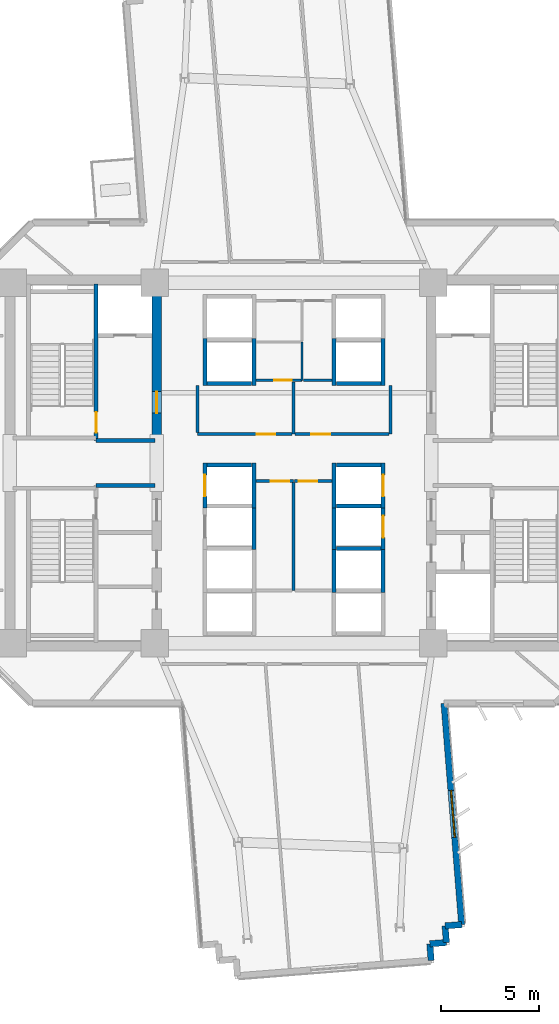
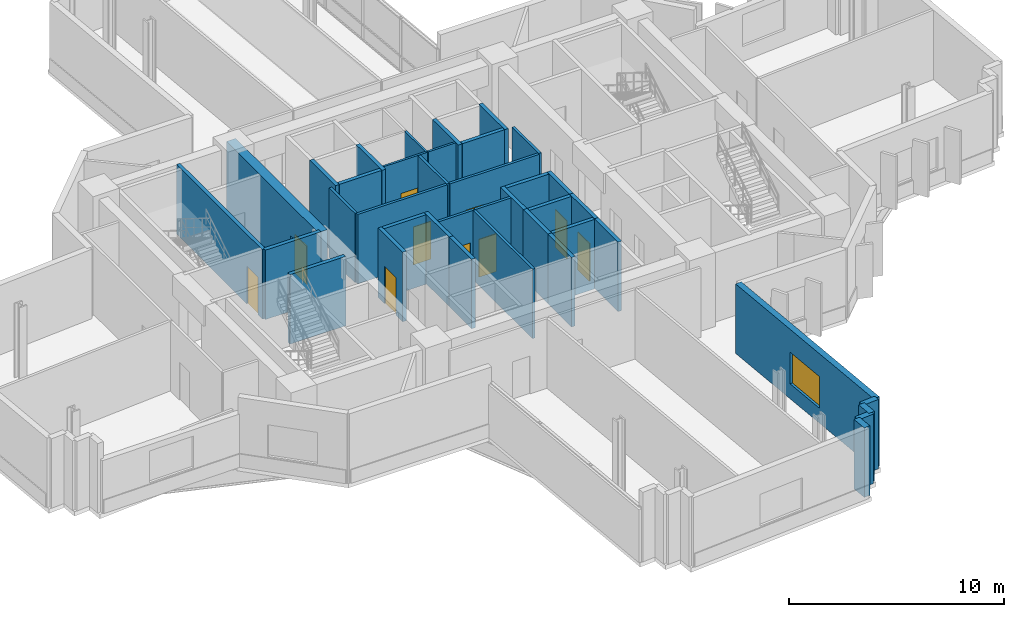
# One storey, part 7 of 15: 39 walls, 10 doors, 1 window, 11 openings.
"""IFC4 building model written with IfcOpenShell, lengths in metres."""

from ifc_helpers import new_model, si_unit, direction, frame, frame_2d, origin, place, context, subcontext, project, spatial, rectangle, extrude, source, transform, mapped, material, layer, layer_set, type_object, element, fill, save


model = new_model("IFC4")

# Units and contexts
model_context = context("Model", 3, precision=1e-05, world=origin(), true_north=direction((0.0, 1.0)))
body_context = subcontext(model_context, "Body", "Model", "MODEL_VIEW")
ifc_project = project(units=[si_unit("LENGTHUNIT", "METRE"), si_unit("AREAUNIT", "SQUARE_METRE"), si_unit("VOLUMEUNIT", "CUBIC_METRE"), si_unit("PLANEANGLEUNIT", "RADIAN"), si_unit("MASSUNIT", "GRAM", prefix="KILO")], contexts=[model_context])

# Site, building, storey
site_placement = place(None, origin())
site = spatial("IfcSite", under=ifc_project, at=site_placement, CompositionType="ELEMENT")
building_placement = place(site_placement, origin())
building = spatial("IfcBuilding", under=site, at=building_placement, Name="Zahravan Cultural Tower", CompositionType="ELEMENT")
storey_placement = place(building_placement, frame((0.0, 0.0, 79.5)))
storey = spatial("IfcBuildingStorey", under=building, at=storey_placement, Name="L17", CompositionType="ELEMENT", Elevation=79.5)

# Wall, opening, door
ifc_material_1 = material(Name="Concrete C60/75", Category="concrete")
ifc_layer_1 = layer(ifc_material_1, 0.5)
ifc_layer_set_1 = layer_set([ifc_layer_1], Name="Concrete C60/75")
wall_type_1 = type_object("IfcWallType", Name="CW-SHEAR-500-C60", PredefinedType="SHEAR", material=ifc_layer_set_1)
wall_1_placement = place(storey_placement, frame((29.0, 28.050048828125, 0.0), z_axis=(0.0, 0.0, 1.0), x_axis=(0.0, 1.0, 0.0)))
wall_1 = element("IfcWall", 1, at=wall_1_placement, inside=storey, type_object=wall_type_1, Name="L17 Core Shear Wall CW-W-EN-L17", PredefinedType="SHEAR", context=body_context, shape_type="SweptSolid", body=[
    extrude(rectangle(XDim=8.550048828125, YDim=0.5, at=frame_2d((4.27490234375, 0.0))), origin(), (0.0, 0.0, 1.0), 3.949951171875),
])
opening_1_placement = place(wall_1_placement, frame((1.5, 0.0, 0.0)))
opening_1 = element("IfcOpeningElement", 2, at=opening_1_placement, cuts=wall_1, Name="Opening D-L17-05", PredefinedType="OPENING", context=body_context, shape_type="SweptSolid", body=[
    extrude(rectangle(XDim=1.10009765625, YDim=2.199951171875, at=frame_2d((0.550048828125, 1.10009765625))), frame((0.0, 0.260009765625, 0.0), z_axis=(0.0, -1.0, 0.0), x_axis=(1.0, 0.0, 0.0)), (0.0, 0.0, 1.0), 0.52001953125),
])
ifc_material_2 = material(Name="Steel ASTM A572 Grade 50", Category="steel")
door_type_1 = type_object("IfcDoorType", Name="DR-LOBBY-1100", OperationType="NOTDEFINED", PredefinedType="DOOR", material=ifc_material_2)
shared_shape_1 = source(origin(), body_context, "Body", "SweptSolid", [
    extrude(rectangle(XDim=1.10009765625, YDim=2.199951171875, at=frame_2d((0.550048828125, 1.10009765625))), frame((0.0, 0.02490234375, 0.0), z_axis=(0.0, -1.0, 0.0), x_axis=(1.0, 0.0, 0.0)), (0.0, 0.0, 1.0), 0.050048828125),
])
door_1_placement = place(opening_1_placement, origin())
door_1 = element("IfcDoor", 3, at=door_1_placement, inside=storey, type_object=door_type_1, Name="L17 Door D-L17-05", OperationType="SINGLE_SWING_LEFT", OverallHeight=2.199951171875, OverallWidth=1.10009765625, PredefinedType="DOOR", context=body_context, shape_type="MappedRepresentation", body=[
    mapped(shared_shape_1, transform((0.0, 0.0, 0.0), x_axis=(1.0, 0.0, 0.0), y_axis=(0.0, 1.0, 0.0), z_axis=(0.0, 0.0, 1.0), scale=1.0)),
])
fill(opening_1, door_1)

# Wall, opening, window
ifc_material_3 = material(Name="Precast concrete C40/50", Category="concrete")
ifc_layer_2 = layer(ifc_material_3, 0.320068359375)
ifc_layer_set_2 = layer_set([ifc_layer_2], Name="Precast concrete C40/50")
wall_type_2 = type_object("IfcWallType", Name="EW-TC-320", PredefinedType="SOLIDWALL", material=ifc_layer_set_2)
wall_2_placement = place(storey_placement, frame((43.658935546875, 14.739990234375, 0.0), z_axis=(0.0, 0.0, 1.0), x_axis=(0.079512268319, -0.996833887459, 0.0)))
wall_2 = element("IfcWall", 4, at=wall_2_placement, inside=storey, type_object=wall_type_2, Name="L17 Exterior Masonry Frame Wall 15", PredefinedType="SOLIDWALL", context=body_context, shape_type="SweptSolid", body=[
    extrude(rectangle(XDim=11.330078125, YDim=0.320068359375, at=frame_2d((5.6650390625, 0.0))), origin(), (0.0, 0.0, 1.0), 3.949951171875),
])
opening_2_placement = place(wall_2_placement, frame((4.465087890625, 0.0, 0.85009765625)))
opening_2 = element("IfcOpeningElement", 5, at=opening_2_placement, cuts=wall_2, Name="Opening WN-01", PredefinedType="OPENING", context=body_context, shape_type="SweptSolid", body=[
    extrude(rectangle(XDim=2.39990234375, YDim=1.800048828125, at=frame_2d((1.199951171875, 0.89990234375))), frame((0.0, 0.169921875, 0.0), z_axis=(0.0, -1.0, 0.0), x_axis=(1.0, 0.0, 0.0)), (0.0, 0.0, 1.0), 0.340087890625),
])
ifc_material_4 = material(Name="Low-E solar-control double glazing", Category="glass")
window_type = type_object("IfcWindowType", Name="WN-REC-2400X1800", PartitioningType="DOUBLE_PANEL_VERTICAL", PredefinedType="WINDOW", material=ifc_material_4)
shared_shape_2 = source(origin(), body_context, "Body", "SweptSolid", [
    extrude(rectangle(XDim=2.39990234375, YDim=1.800048828125, at=frame_2d((1.199951171875, 0.89990234375))), frame((0.0, 0.030029296875, 0.0), z_axis=(0.0, -1.0, 0.0), x_axis=(1.0, 0.0, 0.0)), (0.0, 0.0, 1.0), 0.06005859375),
])
window_placement = place(opening_2_placement, origin())
window = element("IfcWindow", 6, at=window_placement, inside=storey, type_object=window_type, Name="L17 Recessed Solar Window 05", OverallHeight=1.800048828125, OverallWidth=2.39990234375, PartitioningType="DOUBLE_PANEL_VERTICAL", PredefinedType="WINDOW", context=body_context, shape_type="MappedRepresentation", body=[
    mapped(shared_shape_2, transform((0.0, 0.0, 0.0), x_axis=(1.0, 0.0, 0.0), y_axis=(0.0, 1.0, 0.0), z_axis=(0.0, 0.0, 1.0), scale=1.0)),
])
fill(opening_2, window)

# Wall, opening, door
ifc_material_5 = material(Name="Gypsum plasterboard partition")
ifc_layer_3 = layer(ifc_material_5, 0.139892578125)
ifc_layer_set_3 = layer_set([ifc_layer_3], Name="Gypsum plasterboard partition")
wall_type_3 = type_object("IfcWallType", Name="W-PART-140", PredefinedType="PARTITIONING", material=ifc_layer_set_3)
wall_3_placement = place(storey_placement, frame((34.054931640625, 26.080078125, 0.0), z_axis=(0.0, 0.0, 1.0), x_axis=(1.0, 0.0, 0.0)))
wall_3 = element("IfcWall", 7, at=wall_3_placement, inside=storey, type_object=wall_type_3, Name="L17 Interior Wall 075", PredefinedType="PARTITIONING", context=body_context, shape_type="SweptSolid", body=[
    extrude(rectangle(XDim=1.9150390625, YDim=0.139892578125, at=frame_2d((0.95751953125, 0.0))), origin(), (0.0, 0.0, 1.0), 3.949951171875),
])
opening_3_placement = place(wall_3_placement, frame((0.752685546875, 0.0, 0.0)))
opening_3 = element("IfcOpeningElement", 8, at=opening_3_placement, cuts=wall_3, Name="Opening D-L17-15", PredefinedType="OPENING", context=body_context, shape_type="SweptSolid", body=[
    extrude(rectangle(XDim=0.949951171875, YDim=2.14990234375, at=frame_2d((0.47509765625, 1.074951171875))), frame((0.0, 0.079833984375, 0.0), z_axis=(0.0, -1.0, 0.0), x_axis=(1.0, 0.0, 0.0)), (0.0, 0.0, 1.0), 0.159912109375),
])
ifc_material_6 = material(Name="Anodised bronze-aluminium mullion", Category="aluminium")
door_type_2 = type_object("IfcDoorType", Name="DR-ROOM-950", OperationType="NOTDEFINED", PredefinedType="DOOR", material=ifc_material_6)
shared_shape_3 = source(origin(), body_context, "Body", "SweptSolid", [
    extrude(rectangle(XDim=0.949951171875, YDim=2.14990234375, at=frame_2d((0.47509765625, 1.074951171875))), frame((0.0, 0.02490234375, 0.0), z_axis=(0.0, -1.0, 0.0), x_axis=(1.0, 0.0, 0.0)), (0.0, 0.0, 1.0), 0.050048828125),
])
door_2_placement = place(opening_3_placement, origin())
door_2 = element("IfcDoor", 9, at=door_2_placement, inside=storey, type_object=door_type_2, Name="L17 Door D-L17-15", OperationType="SINGLE_SWING_LEFT", OverallHeight=2.14990234375, OverallWidth=0.949951171875, PredefinedType="DOOR", context=body_context, shape_type="MappedRepresentation", body=[
    mapped(shared_shape_3, transform((0.0, 0.0, 0.0), x_axis=(1.0, 0.0, 0.0), y_axis=(0.0, 1.0, 0.0), z_axis=(0.0, 0.0, 1.0), scale=1.0)),
])
fill(opening_3, door_2)

wall_4_placement = place(storey_placement, frame((36.030029296875, 26.080078125, 0.0), z_axis=(0.0, 0.0, 1.0), x_axis=(1.0, 0.0, 0.0)))
wall_4 = element("IfcWall", 10, at=wall_4_placement, inside=storey, type_object=wall_type_3, Name="L17 Interior Wall 078", PredefinedType="PARTITIONING", context=body_context, shape_type="SweptSolid", body=[
    extrude(rectangle(XDim=1.9150390625, YDim=0.139892578125, at=frame_2d((0.95751953125, 0.0))), origin(), (0.0, 0.0, 1.0), 3.949951171875),
])
opening_4_placement = place(wall_4_placement, frame((0.21240234375, 0.0, 0.0)))
opening_4 = element("IfcOpeningElement", 11, at=opening_4_placement, cuts=wall_4, Name="Opening D-L17-16", PredefinedType="OPENING", context=body_context, shape_type="SweptSolid", body=[
    extrude(rectangle(XDim=0.949951171875, YDim=2.14990234375, at=frame_2d((0.47509765625, 1.074951171875))), frame((0.0, 0.079833984375, 0.0), z_axis=(0.0, -1.0, 0.0), x_axis=(1.0, 0.0, 0.0)), (0.0, 0.0, 1.0), 0.159912109375),
])
door_3_placement = place(opening_4_placement, origin())
door_3 = element("IfcDoor", 12, at=door_3_placement, inside=storey, type_object=door_type_2, Name="L17 Door D-L17-16", OperationType="SINGLE_SWING_RIGHT", OverallHeight=2.14990234375, OverallWidth=0.949951171875, PredefinedType="DOOR", context=body_context, shape_type="MappedRepresentation", body=[
    mapped(shared_shape_3, transform((0.0, 0.0, 0.0), x_axis=(1.0, 0.0, 0.0), y_axis=(0.0, 1.0, 0.0), z_axis=(0.0, 0.0, 1.0), scale=1.0)),
])
fill(opening_4, door_3)

wall_5_placement = place(storey_placement, frame((35.89501953125, 28.47998046875, 0.0), z_axis=(0.0, 0.0, 1.0), x_axis=(-1.0, 0.0, 0.0)))
wall_5 = element("IfcWall", 13, at=wall_5_placement, inside=storey, type_object=wall_type_3, Name="L17 Interior Wall 081", PredefinedType="PARTITIONING", context=body_context, shape_type="SweptSolid", body=[
    extrude(rectangle(XDim=4.81494140625, YDim=0.139892578125, at=frame_2d((2.407470703125, 0.0))), origin(), (0.0, 0.0, 1.0), 3.949951171875),
])
opening_5_placement = place(wall_5_placement, frame((0.850341796875, 0.0, 0.0)))
opening_5 = element("IfcOpeningElement", 14, at=opening_5_placement, cuts=wall_5, Name="Opening D-L17-17", PredefinedType="OPENING", context=body_context, shape_type="SweptSolid", body=[
    extrude(rectangle(XDim=0.949951171875, YDim=2.14990234375, at=frame_2d((0.47509765625, 1.074951171875))), frame((0.0, 0.079833984375, 0.0), z_axis=(0.0, -1.0, 0.0), x_axis=(1.0, 0.0, 0.0)), (0.0, 0.0, 1.0), 0.159912109375),
])
door_4_placement = place(opening_5_placement, origin())
door_4 = element("IfcDoor", 15, at=door_4_placement, inside=storey, type_object=door_type_2, Name="L17 Door D-L17-17", OperationType="SINGLE_SWING_LEFT", OverallHeight=2.14990234375, OverallWidth=0.949951171875, PredefinedType="DOOR", context=body_context, shape_type="MappedRepresentation", body=[
    mapped(shared_shape_3, transform((0.0, 0.0, 0.0), x_axis=(1.0, 0.0, 0.0), y_axis=(0.0, 1.0, 0.0), z_axis=(0.0, 0.0, 1.0), scale=1.0)),
])
fill(opening_5, door_4)

wall_6_placement = place(storey_placement, frame((40.844970703125, 28.47998046875, 0.0), z_axis=(0.0, 0.0, 1.0), x_axis=(-1.0, 0.0, 0.0)))
wall_6 = element("IfcWall", 16, at=wall_6_placement, inside=storey, type_object=wall_type_3, Name="L17 Interior Wall 084", PredefinedType="PARTITIONING", context=body_context, shape_type="SweptSolid", body=[
    extrude(rectangle(XDim=4.800048828125, YDim=0.139892578125, at=frame_2d((2.39990234375, 0.0))), origin(), (0.0, 0.0, 1.0), 3.949951171875),
])
opening_6_placement = place(wall_6_placement, frame((3.0029296875, 0.0, 0.0)))
opening_6 = element("IfcOpeningElement", 17, at=opening_6_placement, cuts=wall_6, Name="Opening D-L17-18", PredefinedType="OPENING", context=body_context, shape_type="SweptSolid", body=[
    extrude(rectangle(XDim=0.949951171875, YDim=2.14990234375, at=frame_2d((0.47509765625, 1.074951171875))), frame((0.0, 0.079833984375, 0.0), z_axis=(0.0, -1.0, 0.0), x_axis=(1.0, 0.0, 0.0)), (0.0, 0.0, 1.0), 0.159912109375),
])
door_5_placement = place(opening_6_placement, origin())
door_5 = element("IfcDoor", 18, at=door_5_placement, inside=storey, type_object=door_type_2, Name="L17 Door D-L17-18", OperationType="SINGLE_SWING_RIGHT", OverallHeight=2.14990234375, OverallWidth=0.949951171875, PredefinedType="DOOR", context=body_context, shape_type="MappedRepresentation", body=[
    mapped(shared_shape_3, transform((0.0, 0.0, 0.0), x_axis=(1.0, 0.0, 0.0), y_axis=(0.0, 1.0, 0.0), z_axis=(0.0, 0.0, 1.0), scale=1.0)),
])
fill(opening_6, door_5)

ifc_material_7 = material(Name="Concrete C45/55", Category="concrete")
ifc_layer_4 = layer(ifc_material_7, 0.199951171875)
ifc_layer_set_4 = layer_set([ifc_layer_4], Name="Concrete C45/55")
wall_type_4 = type_object("IfcWallType", Name="W-SHAFT-200", PredefinedType="SOLIDWALL", material=ifc_layer_set_4)
wall_7_placement = place(storey_placement, frame((25.89990234375, 28.14990234375, 0.0), z_axis=(0.0, 0.0, 1.0), x_axis=(0.0, 1.0, 0.0)))
wall_7 = element("IfcWall", 19, at=wall_7_placement, inside=storey, type_object=wall_type_4, Name="L17 Interior Wall 006", PredefinedType="SOLIDWALL", context=body_context, shape_type="SweptSolid", body=[
    extrude(rectangle(XDim=8.0, YDim=0.199951171875, at=frame_2d((4.0, 0.0))), origin(), (0.0, 0.0, 1.0), 3.949951171875),
])
opening_7_placement = place(wall_7_placement, frame((0.39990234375, 0.0, 0.0)))
opening_7 = element("IfcOpeningElement", 20, at=opening_7_placement, cuts=wall_7, Name="Opening D-L17-01", PredefinedType="OPENING", context=body_context, shape_type="SweptSolid", body=[
    extrude(rectangle(XDim=1.050048828125, YDim=2.14990234375, at=frame_2d((0.52490234375, 1.074951171875))), frame((0.0, 0.10986328125, 0.0), z_axis=(0.0, -1.0, 0.0), x_axis=(1.0, 0.0, 0.0)), (0.0, 0.0, 1.0), 0.219970703125),
])
door_type_3 = type_object("IfcDoorType", Name="DR-STAIR-1050", OperationType="NOTDEFINED", PredefinedType="DOOR", material=ifc_material_2)
shared_shape_4 = source(origin(), body_context, "Body", "SweptSolid", [
    extrude(rectangle(XDim=1.050048828125, YDim=2.14990234375, at=frame_2d((0.52490234375, 1.074951171875))), frame((0.0, 0.02490234375, 0.0), z_axis=(0.0, -1.0, 0.0), x_axis=(1.0, 0.0, 0.0)), (0.0, 0.0, 1.0), 0.050048828125),
])
door_6_placement = place(opening_7_placement, origin())
door_6 = element("IfcDoor", 21, at=door_6_placement, inside=storey, type_object=door_type_3, Name="L17 Door D-L17-01", OperationType="SINGLE_SWING_LEFT", OverallHeight=2.14990234375, OverallWidth=1.050048828125, PredefinedType="DOOR", context=body_context, shape_type="MappedRepresentation", body=[
    mapped(shared_shape_4, transform((0.0, 0.0, 0.0), x_axis=(1.0, 0.0, 0.0), y_axis=(0.0, 1.0, 0.0), z_axis=(0.0, 0.0, 1.0), scale=1.0)),
])
fill(opening_7, door_6)

wall_8_placement = place(storey_placement, frame((31.449951171875, 24.699951171875, 0.0), z_axis=(0.0, 0.0, 1.0), x_axis=(0.0, 1.0, 0.0)))
wall_8 = element("IfcWall", 22, at=wall_8_placement, inside=storey, type_object=wall_type_4, Name="L17 Interior Wall 056", PredefinedType="SOLIDWALL", context=body_context, shape_type="SweptSolid", body=[
    extrude(rectangle(XDim=2.300048828125, YDim=0.199951171875, at=frame_2d((1.14990234375, 0.0))), origin(), (0.0, 0.0, 1.0), 3.949951171875),
])
opening_8_placement = place(wall_8_placement, frame((0.60009765625, 0.0, 0.0)))
opening_8 = element("IfcOpeningElement", 23, at=opening_8_placement, cuts=wall_8, Name="Opening LD-L17-04", PredefinedType="OPENING", context=body_context, shape_type="SweptSolid", body=[
    extrude(rectangle(XDim=1.10009765625, YDim=2.14990234375, at=frame_2d((0.550048828125, 1.074951171875))), frame((0.0, 0.10986328125, 0.0), z_axis=(0.0, -1.0, 0.0), x_axis=(1.0, 0.0, 0.0)), (0.0, 0.0, 1.0), 0.219970703125),
])
door_type_4 = type_object("IfcDoorType", Name="DR-LIFT-1100", OperationType="DOUBLE_DOOR_SLIDING", PredefinedType="DOOR", material=ifc_material_2)
shared_shape_5 = source(origin(), body_context, "Body", "SweptSolid", [
    extrude(rectangle(XDim=1.10009765625, YDim=2.14990234375, at=frame_2d((0.550048828125, 1.074951171875))), frame((0.0, 0.02490234375, 0.0), z_axis=(0.0, -1.0, 0.0), x_axis=(1.0, 0.0, 0.0)), (0.0, 0.0, 1.0), 0.050048828125),
])
door_7_placement = place(opening_8_placement, origin())
door_7 = element("IfcDoor", 24, at=door_7_placement, inside=storey, type_object=door_type_4, Name="L17 Door LD-L17-04", OperationType="DOUBLE_DOOR_SLIDING", OverallHeight=2.14990234375, OverallWidth=1.10009765625, PredefinedType="DOOR", context=body_context, shape_type="MappedRepresentation", body=[
    mapped(shared_shape_5, transform((0.0, 0.0, 0.0), x_axis=(1.0, 0.0, 0.0), y_axis=(0.0, 1.0, 0.0), z_axis=(0.0, 0.0, 1.0), scale=1.0)),
])
fill(opening_8, door_7)

wall_9_placement = place(storey_placement, frame((40.550048828125, 24.699951171875, 0.0), z_axis=(0.0, 0.0, 1.0), x_axis=(0.0, 1.0, 0.0)))
wall_9 = element("IfcWall", 25, at=wall_9_placement, inside=storey, type_object=wall_type_4, Name="L17 Interior Wall 063", PredefinedType="SOLIDWALL", context=body_context, shape_type="SweptSolid", body=[
    extrude(rectangle(XDim=2.300048828125, YDim=0.199951171875, at=frame_2d((1.14990234375, 0.0))), origin(), (0.0, 0.0, 1.0), 3.949951171875),
])
opening_9_placement = place(wall_9_placement, frame((0.60009765625, 0.0, 0.0)))
opening_9 = element("IfcOpeningElement", 26, at=opening_9_placement, cuts=wall_9, Name="Opening LD-L17-06", PredefinedType="OPENING", context=body_context, shape_type="SweptSolid", body=[
    extrude(rectangle(XDim=1.10009765625, YDim=2.14990234375, at=frame_2d((0.550048828125, 1.074951171875))), frame((0.0, 0.10986328125, 0.0), z_axis=(0.0, -1.0, 0.0), x_axis=(1.0, 0.0, 0.0)), (0.0, 0.0, 1.0), 0.219970703125),
])
door_8_placement = place(opening_9_placement, origin())
door_8 = element("IfcDoor", 27, at=door_8_placement, inside=storey, type_object=door_type_4, Name="L17 Door LD-L17-06", OperationType="DOUBLE_DOOR_SLIDING", OverallHeight=2.14990234375, OverallWidth=1.10009765625, PredefinedType="DOOR", context=body_context, shape_type="MappedRepresentation", body=[
    mapped(shared_shape_5, transform((0.0, 0.0, 0.0), x_axis=(1.0, 0.0, 0.0), y_axis=(0.0, 1.0, 0.0), z_axis=(0.0, 0.0, 1.0), scale=1.0)),
])
fill(opening_9, door_8)

wall_10_placement = place(storey_placement, frame((40.550048828125, 22.60009765625, 0.0), z_axis=(0.0, 0.0, 1.0), x_axis=(0.0, 1.0, 0.0)))
wall_10 = element("IfcWall", 28, at=wall_10_placement, inside=storey, type_object=wall_type_4, Name="L17 Interior Wall 067", PredefinedType="SOLIDWALL", context=body_context, shape_type="SweptSolid", body=[
    extrude(rectangle(XDim=2.2998046875, YDim=0.199951171875, at=frame_2d((1.14990234375, 0.0))), origin(), (0.0, 0.0, 1.0), 3.949951171875),
])
opening_10_placement = place(wall_10_placement, frame((0.60009765625, 0.0, 0.0)))
opening_10 = element("IfcOpeningElement", 29, at=opening_10_placement, cuts=wall_10, Name="Opening LD-L17-07", PredefinedType="OPENING", context=body_context, shape_type="SweptSolid", body=[
    extrude(rectangle(XDim=1.10009765625, YDim=2.14990234375, at=frame_2d((0.550048828125, 1.074951171875))), frame((0.0, 0.10986328125, 0.0), z_axis=(0.0, -1.0, 0.0), x_axis=(1.0, 0.0, 0.0)), (0.0, 0.0, 1.0), 0.219970703125),
])
door_9_placement = place(opening_10_placement, origin())
door_9 = element("IfcDoor", 30, at=door_9_placement, inside=storey, type_object=door_type_4, Name="L17 Door LD-L17-07", OperationType="DOUBLE_DOOR_SLIDING", OverallHeight=2.14990234375, OverallWidth=1.10009765625, PredefinedType="DOOR", context=body_context, shape_type="MappedRepresentation", body=[
    mapped(shared_shape_5, transform((0.0, 0.0, 0.0), x_axis=(1.0, 0.0, 0.0), y_axis=(0.0, 1.0, 0.0), z_axis=(0.0, 0.0, 1.0), scale=1.0)),
])
fill(opening_10, door_9)

ifc_layer_5 = layer(ifc_material_5, 0.114990234375)
ifc_layer_set_5 = layer_set([ifc_layer_5], Name="Gypsum plasterboard partition")
wall_type_5 = type_object("IfcWallType", Name="W-WC-115", PredefinedType="PARTITIONING", material=ifc_layer_set_5)
wall_11_placement = place(storey_placement, frame((36.409912109375, 31.219970703125, 0.0), z_axis=(0.0, 0.0, 1.0), x_axis=(-1.0, 0.0, 0.0)))
wall_11 = element("IfcWall", 31, at=wall_11_placement, inside=storey, type_object=wall_type_5, Name="L17 Interior Wall 068", PredefinedType="PARTITIONING", context=body_context, shape_type="SweptSolid", body=[
    extrude(rectangle(XDim=2.35498046875, YDim=0.114990234375, at=frame_2d((1.177490234375, 0.0))), origin(), (0.0, 0.0, 1.0), 3.949951171875),
])
opening_11_placement = place(wall_11_placement, frame((0.5166015625, 0.0, 0.0)))
opening_11 = element("IfcOpeningElement", 32, at=opening_11_placement, cuts=wall_11, Name="Opening D-L17-29", PredefinedType="OPENING", context=body_context, shape_type="SweptSolid", body=[
    extrude(rectangle(XDim=0.89990234375, YDim=2.10009765625, at=frame_2d((0.449951171875, 1.050048828125))), frame((0.0, 0.0673828125, 0.0), z_axis=(0.0, -1.0, 0.0), x_axis=(1.0, 0.0, 0.0)), (0.0, 0.0, 1.0), 0.135009765625),
])
door_type_5 = type_object("IfcDoorType", Name="DR-WC-900", OperationType="NOTDEFINED", PredefinedType="DOOR", material=ifc_material_6)
shared_shape_6 = source(origin(), body_context, "Body", "SweptSolid", [
    extrude(rectangle(XDim=0.89990234375, YDim=2.10009765625, at=frame_2d((0.449951171875, 1.050048828125))), frame((0.0, 0.02490234375, 0.0), z_axis=(0.0, -1.0, 0.0), x_axis=(1.0, 0.0, 0.0)), (0.0, 0.0, 1.0), 0.050048828125),
])
door_10_placement = place(opening_11_placement, origin())
door_10 = element("IfcDoor", 33, at=door_10_placement, inside=storey, type_object=door_type_5, Name="L17 Door D-L17-29", OperationType="SINGLE_SWING_LEFT", OverallHeight=2.10009765625, OverallWidth=0.89990234375, PredefinedType="DOOR", context=body_context, shape_type="MappedRepresentation", body=[
    mapped(shared_shape_6, transform((0.0, 0.0, 0.0), x_axis=(1.0, 0.0, 0.0), y_axis=(0.0, 1.0, 0.0), z_axis=(0.0, 0.0, 1.0), scale=1.0)),
])
fill(opening_11, door_10)

# Walls
shared_shape_7 = source(origin(), body_context, "Body", "SweptSolid", [
    extrude(rectangle(XDim=0.849853515625, YDim=0.320068359375, at=frame_2d((0.4248046875, 0.0))), origin(), (0.0, 0.0, 1.0), 3.949951171875),
])
wall_12_placement = place(storey_placement, frame((42.9326171875, 2.46337890625, 0.0), z_axis=(0.0, 0.0, 1.0), x_axis=(0.079573954853, -0.996828965123, 0.0)))
element("IfcWall", 34, at=wall_12_placement, inside=storey, type_object=wall_type_2, Name="L17 Exterior Masonry Frame Wall 19", PredefinedType="SOLIDWALL", context=body_context, shape_type="MappedRepresentation", body=[
    mapped(shared_shape_7, transform((0.0, 0.0, 0.0), x_axis=(1.0, 0.0, 0.0), y_axis=(0.0, 1.0, 0.0), z_axis=(0.0, 0.0, 1.0), scale=1.0)),
])
shared_shape_8 = source(origin(), body_context, "Body", "SweptSolid", [
    extrude(rectangle(XDim=0.85009765625, YDim=0.320068359375, at=frame_2d((0.425048828125, 0.0))), origin(), (0.0, 0.0, 1.0), 3.949951171875),
])
for number, where, z_axis, x_axis, name in (
    (35, (44.559814453125, 3.44580078125, 0.0), (0.0, 0.0, 1.0), (-0.99685351678, -0.079265793901, 0.0), "L17 Exterior Masonry Frame Wall 16"),
    (36, (43.71240234375, 3.37841796875, 0.0), (0.0, 0.0, 1.0), (0.079551174585, -0.996830783344, 0.0), "L17 Exterior Masonry Frame Wall 17"),
    (37, (43.780029296875, 2.531005859375, 0.0), (0.0, 0.0, 1.0), (-0.996830783344, -0.079551174585, 0.0), "L17 Exterior Masonry Frame Wall 18"),
):
    element("IfcWall", number, at=place(storey_placement, frame(where, z_axis=z_axis, x_axis=x_axis)), inside=storey, type_object=wall_type_2, Name=name, PredefinedType="SOLIDWALL", context=body_context, shape_type="MappedRepresentation", body=[
        mapped(shared_shape_8, transform((0.0, 0.0, 0.0), x_axis=(1.0, 0.0, 0.0), y_axis=(0.0, 1.0, 0.0), z_axis=(0.0, 0.0, 1.0), scale=1.0)),
    ])
shared_shape_9 = source(origin(), body_context, "Body", "SweptSolid", [
    extrude(rectangle(XDim=3.0, YDim=0.199951171875, at=frame_2d((1.5, 0.0))), origin(), (0.0, 0.0, 1.0), 3.949951171875),
])
for number, where, z_axis, x_axis, name in (
    (38, (25.89990234375, 25.85009765625, 0.0), (0.0, 0.0, 1.0), (1.0, 0.0, 0.0), "L17 Interior Wall 010"),
    (39, (25.89990234375, 28.14990234375, 0.0), (0.0, 0.0, 1.0), (1.0, 0.0, 0.0), "L17 Interior Wall 012"),
):
    element("IfcWall", number, at=place(storey_placement, frame(where, z_axis=z_axis, x_axis=x_axis)), inside=storey, type_object=wall_type_4, Name=name, PredefinedType="SOLIDWALL", context=body_context, shape_type="MappedRepresentation", body=[
        mapped(shared_shape_9, transform((0.0, 0.0, 0.0), x_axis=(1.0, 0.0, 0.0), y_axis=(0.0, 1.0, 0.0), z_axis=(0.0, 0.0, 1.0), scale=1.0)),
    ])
shared_shape_10 = source(origin(), body_context, "Body", "SweptSolid", [
    extrude(rectangle(XDim=2.400146484375, YDim=0.199951171875, at=frame_2d((1.2001953125, 0.0))), origin(), (0.0, 0.0, 1.0), 3.949951171875),
])
for number, where, z_axis, x_axis, name in (
    (40, (31.449951171875, 30.949951171875, 0.0), (0.0, 0.0, 1.0), (0.0, 1.0, 0.0), "L17 Interior Wall 032"),
    (41, (33.949951171875, 30.949951171875, 0.0), (0.0, 0.0, 1.0), (0.0, 1.0, 0.0), "L17 Interior Wall 033"),
    (42, (38.050048828125, 30.949951171875, 0.0), (0.0, 0.0, 1.0), (0.0, 1.0, 0.0), "L17 Interior Wall 039"),
    (43, (40.550048828125, 30.949951171875, 0.0), (0.0, 0.0, 1.0), (0.0, 1.0, 0.0), "L17 Interior Wall 040"),
):
    element("IfcWall", number, at=place(storey_placement, frame(where, z_axis=z_axis, x_axis=x_axis)), inside=storey, type_object=wall_type_4, Name=name, PredefinedType="SOLIDWALL", context=body_context, shape_type="MappedRepresentation", body=[
        mapped(shared_shape_10, transform((0.0, 0.0, 0.0), x_axis=(1.0, 0.0, 0.0), y_axis=(0.0, 1.0, 0.0), z_axis=(0.0, 0.0, 1.0), scale=1.0)),
    ])
shared_shape_11 = source(origin(), body_context, "Body", "SweptSolid", [
    extrude(rectangle(XDim=2.260009765625, YDim=0.199951171875, at=frame_2d((1.1298828125, 0.0))), origin(), (0.0, 0.0, 1.0), 3.949951171875),
])
for number, where, z_axis, x_axis, name in (
    (44, (31.570068359375, 31.050048828125, 0.0), (0.0, 0.0, 1.0), (1.0, 0.0, 0.0), "L17 Interior Wall 034"),
    (45, (38.169921875, 31.050048828125, 0.0), (0.0, 0.0, 1.0), (1.0, 0.0, 0.0), "L17 Interior Wall 041"),
    (46, (38.169921875, 22.64990234375, 0.0), (0.0, 0.0, 1.0), (1.0, 0.0, 0.0), "L17 Interior Wall 052"),
    (47, (31.570068359375, 26.89990234375, 0.0), (0.0, 0.0, 1.0), (1.0, 0.0, 0.0), "L17 Interior Wall 059"),
    (48, (38.169921875, 24.800048828125, 0.0), (0.0, 0.0, 1.0), (1.0, 0.0, 0.0), "L17 Interior Wall 064"),
    (49, (38.169921875, 26.89990234375, 0.0), (0.0, 0.0, 1.0), (1.0, 0.0, 0.0), "L17 Interior Wall 065"),
):
    element("IfcWall", number, at=place(storey_placement, frame(where, z_axis=z_axis, x_axis=x_axis)), inside=storey, type_object=wall_type_4, Name=name, PredefinedType="SOLIDWALL", context=body_context, shape_type="MappedRepresentation", body=[
        mapped(shared_shape_11, transform((0.0, 0.0, 0.0), x_axis=(1.0, 0.0, 0.0), y_axis=(0.0, 1.0, 0.0), z_axis=(0.0, 0.0, 1.0), scale=1.0)),
    ])
shared_shape_12 = source(origin(), body_context, "Body", "SweptSolid", [
    extrude(rectangle(XDim=2.35009765625, YDim=0.199951171875, at=frame_2d((1.175048828125, 0.0))), origin(), (0.0, 0.0, 1.0), 3.949951171875),
])
for number, where, z_axis, x_axis, name in (
    (50, (38.050048828125, 20.39990234375, 0.0), (0.0, 0.0, 1.0), (0.0, 1.0, 0.0), "L17 Interior Wall 049"),
    (51, (40.550048828125, 20.39990234375, 0.0), (0.0, 0.0, 1.0), (0.0, 1.0, 0.0), "L17 Interior Wall 050"),
):
    element("IfcWall", number, at=place(storey_placement, frame(where, z_axis=z_axis, x_axis=x_axis)), inside=storey, type_object=wall_type_4, Name=name, PredefinedType="SOLIDWALL", context=body_context, shape_type="MappedRepresentation", body=[
        mapped(shared_shape_12, transform((0.0, 0.0, 0.0), x_axis=(1.0, 0.0, 0.0), y_axis=(0.0, 1.0, 0.0), z_axis=(0.0, 0.0, 1.0), scale=1.0)),
    ])
shared_shape_13 = source(origin(), body_context, "Body", "SweptSolid", [
    extrude(rectangle(XDim=2.300048828125, YDim=0.199951171875, at=frame_2d((1.14990234375, 0.0))), origin(), (0.0, 0.0, 1.0), 3.949951171875),
])
for number, where, z_axis, x_axis, name in (
    (52, (33.949951171875, 24.699951171875, 0.0), (0.0, 0.0, 1.0), (0.0, 1.0, 0.0), "L17 Interior Wall 057"),
    (53, (38.050048828125, 24.699951171875, 0.0), (0.0, 0.0, 1.0), (0.0, 1.0, 0.0), "L17 Interior Wall 062"),
):
    element("IfcWall", number, at=place(storey_placement, frame(where, z_axis=z_axis, x_axis=x_axis)), inside=storey, type_object=wall_type_4, Name=name, PredefinedType="SOLIDWALL", context=body_context, shape_type="MappedRepresentation", body=[
        mapped(shared_shape_13, transform((0.0, 0.0, 0.0), x_axis=(1.0, 0.0, 0.0), y_axis=(0.0, 1.0, 0.0), z_axis=(0.0, 0.0, 1.0), scale=1.0)),
    ])
shared_shape_14 = source(origin(), body_context, "Body", "SweptSolid", [
    extrude(rectangle(XDim=2.2998046875, YDim=0.199951171875, at=frame_2d((1.14990234375, 0.0))), origin(), (0.0, 0.0, 1.0), 3.949951171875),
])
for number, where, z_axis, x_axis, name in (
    (54, (33.949951171875, 22.60009765625, 0.0), (0.0, 0.0, 1.0), (0.0, 1.0, 0.0), "L17 Interior Wall 061"),
    (55, (38.050048828125, 22.60009765625, 0.0), (0.0, 0.0, 1.0), (0.0, 1.0, 0.0), "L17 Interior Wall 066"),
):
    element("IfcWall", number, at=place(storey_placement, frame(where, z_axis=z_axis, x_axis=x_axis)), inside=storey, type_object=wall_type_4, Name=name, PredefinedType="SOLIDWALL", context=body_context, shape_type="MappedRepresentation", body=[
        mapped(shared_shape_14, transform((0.0, 0.0, 0.0), x_axis=(1.0, 0.0, 0.0), y_axis=(0.0, 1.0, 0.0), z_axis=(0.0, 0.0, 1.0), scale=1.0)),
    ])
shared_shape_15 = source(origin(), body_context, "Body", "SweptSolid", [
    extrude(rectangle(XDim=2.469970703125, YDim=0.139892578125, at=frame_2d((1.23486328125, 0.0))), origin(), (0.0, 0.0, 1.0), 3.949951171875),
])
wall_13_placement = place(storey_placement, frame((40.919921875, 30.949951171875, 0.0), z_axis=(0.0, 0.0, 1.0), x_axis=(0.0, -1.0, 0.0)))
element("IfcWall", 56, at=wall_13_placement, inside=storey, type_object=wall_type_3, Name="L17 Interior Wall 083", PredefinedType="PARTITIONING", context=body_context, shape_type="MappedRepresentation", body=[
    mapped(shared_shape_15, transform((0.0, 0.0, 0.0), x_axis=(1.0, 0.0, 0.0), y_axis=(0.0, 1.0, 0.0), z_axis=(0.0, 0.0, 1.0), scale=1.0)),
])
shared_shape_16 = source(origin(), body_context, "Body", "SweptSolid", [
    extrude(rectangle(XDim=2.39501953125, YDim=0.139892578125, at=frame_2d((1.197509765625, 0.0))), origin(), (0.0, 0.0, 1.0), 3.949951171875),
])
wall_14_placement = place(storey_placement, frame((31.080078125, 28.554931640625, 0.0), z_axis=(0.0, 0.0, 1.0), x_axis=(0.0, 1.0, 0.0)))
element("IfcWall", 57, at=wall_14_placement, inside=storey, type_object=wall_type_3, Name="L17 Interior Wall 082", PredefinedType="PARTITIONING", context=body_context, shape_type="MappedRepresentation", body=[
    mapped(shared_shape_16, transform((0.0, 0.0, 0.0), x_axis=(1.0, 0.0, 0.0), y_axis=(0.0, 1.0, 0.0), z_axis=(0.0, 0.0, 1.0), scale=1.0)),
])
shared_shape_17 = source(origin(), body_context, "Body", "SweptSolid", [
    extrude(rectangle(XDim=1.9599609375, YDim=0.114990234375, at=frame_2d((0.97998046875, 0.0))), origin(), (0.0, 0.0, 1.0), 3.949951171875),
])
wall_15_placement = place(storey_placement, frame((36.409912109375, 33.179931640625, 0.0), z_axis=(0.0, 0.0, 1.0), x_axis=(0.0, -1.0, 0.0)))
element("IfcWall", 58, at=wall_15_placement, inside=storey, type_object=wall_type_5, Name="L17 Interior Wall 070", PredefinedType="PARTITIONING", context=body_context, shape_type="MappedRepresentation", body=[
    mapped(shared_shape_17, transform((0.0, 0.0, 0.0), x_axis=(1.0, 0.0, 0.0), y_axis=(0.0, 1.0, 0.0), z_axis=(0.0, 0.0, 1.0), scale=1.0)),
])
shared_shape_18 = source(origin(), body_context, "Body", "SweptSolid", [
    extrude(rectangle(XDim=1.47265625, YDim=0.114990234375, at=frame_2d((0.736328125, 0.0))), origin(), (0.0, 0.0, 1.0), 3.949951171875),
])
wall_16_placement = place(storey_placement, frame((37.945068359375, 31.219970703125, 0.0), z_axis=(0.0, 0.0, 1.0), x_axis=(-1.0, 0.0, 0.0)))
element("IfcWall", 59, at=wall_16_placement, inside=storey, type_object=wall_type_5, Name="L17 Interior Wall 073", PredefinedType="PARTITIONING", context=body_context, shape_type="MappedRepresentation", body=[
    mapped(shared_shape_18, transform((0.0, 0.0, 0.0), x_axis=(1.0, 0.0, 0.0), y_axis=(0.0, 1.0, 0.0), z_axis=(0.0, 0.0, 1.0), scale=1.0)),
])
shared_shape_19 = source(origin(), body_context, "Body", "SweptSolid", [
    extrude(rectangle(XDim=5.514892578125, YDim=0.139892578125, at=frame_2d((2.75732421875, 0.0))), origin(), (0.0, 0.0, 1.0), 3.949951171875),
])
wall_17_placement = place(storey_placement, frame((35.969970703125, 26.0048828125, 0.0), z_axis=(0.0, 0.0, 1.0), x_axis=(0.0, -1.0, 0.0)))
element("IfcWall", 60, at=wall_17_placement, inside=storey, type_object=wall_type_3, Name="L17 Interior Wall 076", PredefinedType="PARTITIONING", context=body_context, shape_type="MappedRepresentation", body=[
    mapped(shared_shape_19, transform((0.0, 0.0, 0.0), x_axis=(1.0, 0.0, 0.0), y_axis=(0.0, 1.0, 0.0), z_axis=(0.0, 0.0, 1.0), scale=1.0)),
])
shared_shape_20 = source(origin(), body_context, "Body", "SweptSolid", [
    extrude(rectangle(XDim=2.659912109375, YDim=0.139892578125, at=frame_2d((1.330078125, 0.0))), origin(), (0.0, 0.0, 1.0), 3.949951171875),
])
wall_18_placement = place(storey_placement, frame((35.969970703125, 31.139892578125, 0.0), z_axis=(0.0, 0.0, 1.0), x_axis=(0.0, -1.0, 0.0)))
element("IfcWall", 61, at=wall_18_placement, inside=storey, type_object=wall_type_3, Name="L17 Interior Wall 080", PredefinedType="PARTITIONING", context=body_context, shape_type="MappedRepresentation", body=[
    mapped(shared_shape_20, transform((0.0, 0.0, 0.0), x_axis=(1.0, 0.0, 0.0), y_axis=(0.0, 1.0, 0.0), z_axis=(0.0, 0.0, 1.0), scale=1.0)),
])

save(model, "model.ifc")
